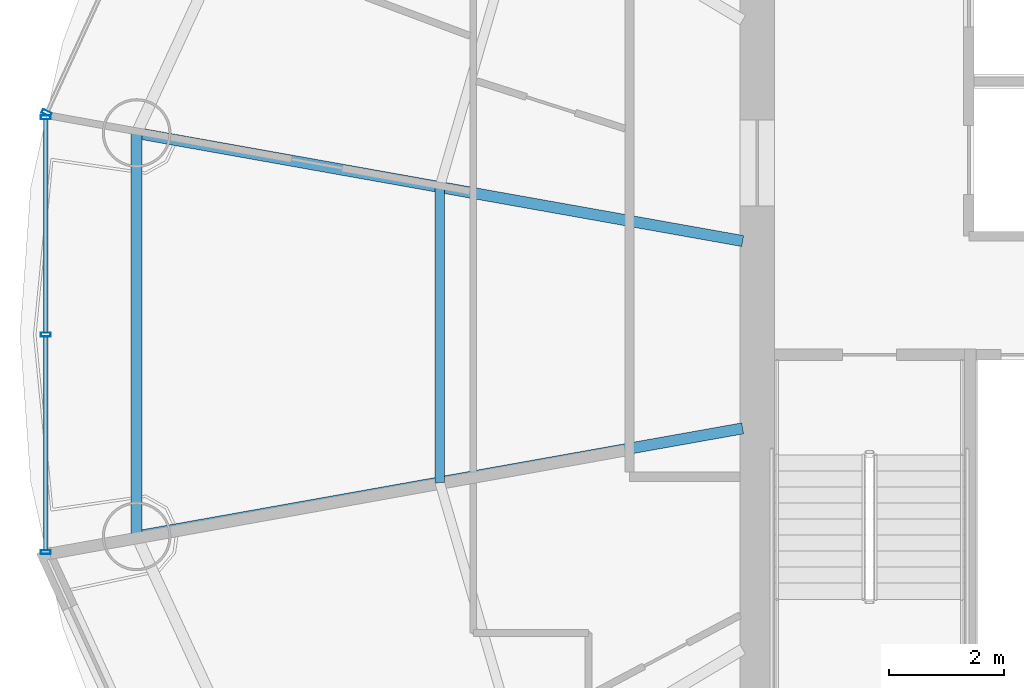
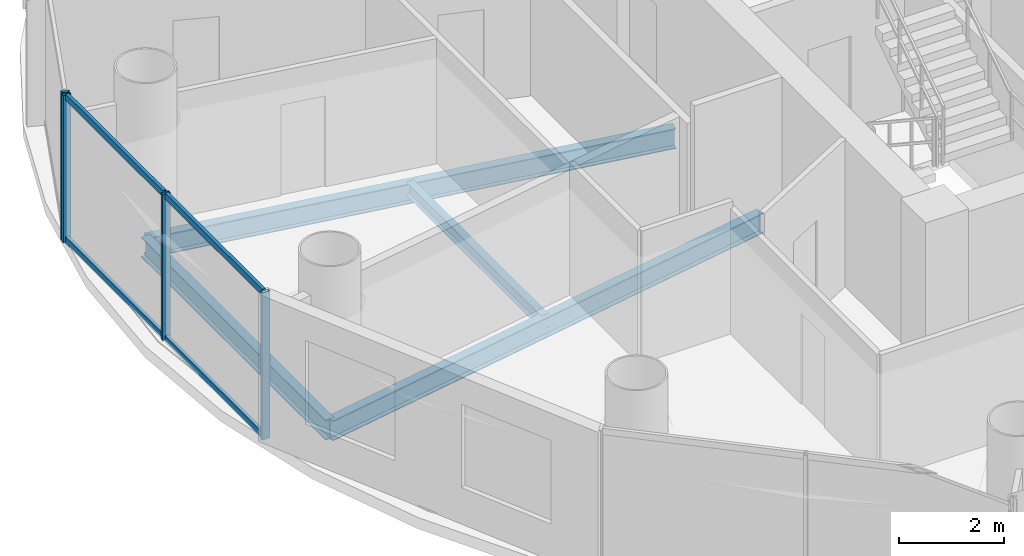
# One storey, part 7 of 27: 8 members, 4 beams, 2 elements without a shape of their own.
"""IFC4 building model written with IfcOpenShell, lengths in metres."""

from ifc_helpers import new_model, si_unit, direction, frame, origin, origin_2d, place, context, subcontext, project, spatial, hollow_rectangle, i_section, extrude, source, transform, mapped, material, material_profile, profile_set, type_object, element, aggregate, save


model = new_model("IFC4")

# Units and contexts
model_context = context("Model", 3, precision=1e-05, world=origin(), true_north=direction((-0.2419218956, 0.970295726276)))
body_context = subcontext(model_context, "Body", "Model", "MODEL_VIEW")
ifc_project = project(units=[si_unit("LENGTHUNIT", "METRE"), si_unit("AREAUNIT", "SQUARE_METRE"), si_unit("VOLUMEUNIT", "CUBIC_METRE"), si_unit("PLANEANGLEUNIT", "RADIAN"), si_unit("MASSUNIT", "GRAM", prefix="KILO")], contexts=[model_context])

# Site, building, storey
site_placement = place(None, origin())
site = spatial("IfcSite", under=ifc_project, at=site_placement, CompositionType="ELEMENT")
building_placement = place(site_placement, origin())
building = spatial("IfcBuilding", under=site, at=building_placement, Name="Cobrevalo Terracotta Tower", CompositionType="ELEMENT")
storey_placement = place(building_placement, frame((0.0, 0.0, 194.89990234375)))
storey = spatial("IfcBuildingStorey", under=building, at=storey_placement, Name="L51", CompositionType="ELEMENT", Elevation=194.89990234375)

# Beams
ifc_material_1 = material(Name="Steel S355", Category="steel")
ifc_material_profile_1 = material_profile(ifc_material_1, i_section(OverallWidth=0.194091796875, OverallDepth=0.468994140625, WebThickness=0.011474609375, FlangeThickness=0.0205078125, at=origin_2d()), Name="W 460x106")
ifc_profile_set_1 = profile_set([ifc_material_profile_1], Name="Steel S355")
beam_type_1 = type_object("IfcBeamType", Name="Structural Beam W 460x106 (Steel S355)", PredefinedType="BEAM", material=ifc_profile_set_1)
for number, where, z_axis, x_axis, name in (
    (1, (18.237060546875, 30.3212890625, -0.49951171875), (0.98449712063, -0.175400739656, 0.0), (0.175400739656, 0.98449712063, 0.0), "L51 radial floor girder 08"),
    (2, (18.237060546875, 23.278564453125, -0.49951171875), (0.984493198547, 0.175422752274, 0.0), (-0.175422752274, 0.984493198547, 0.0), "L51 radial floor girder 09"),
):
    element("IfcBeam", number, at=place(storey_placement, frame(where, z_axis=z_axis, x_axis=x_axis)), inside=storey, type_object=beam_type_1, Name=name, PredefinedType="BEAM", context=body_context, shape_type="SweptSolid", body=[
        extrude(i_section(OverallWidth=0.194091796875, OverallDepth=0.468994140625, WebThickness=0.011474609375, FlangeThickness=0.0205078125, at=origin_2d()), origin(), (0.0, 0.0, 1.0), 10.749755859375),
    ])
ifc_material_profile_2 = material_profile(ifc_material_1, i_section(OverallWidth=0.1650390625, OverallDepth=0.31005859375, WebThickness=0.005859375, FlangeThickness=0.009765625, at=origin_2d()), Name="W 310x38.7")
ifc_profile_set_2 = profile_set([ifc_material_profile_2], Name="Steel S355")
beam_type_2 = type_object("IfcBeamType", Name="Structural Joist W 310x38.7 (Steel S355)", PredefinedType="JOIST", material=ifc_profile_set_2)
beam_1_placement = place(storey_placement, frame((23.528564453125, 29.378662109375, -0.419921875), z_axis=(0.0, -1.0, 0.0), x_axis=(1.0, 0.0, 0.0)))
element("IfcBeam", 3, at=beam_1_placement, inside=storey, type_object=beam_type_2, Name="L51 circumferential secondary floor joist 08", PredefinedType="JOIST", context=body_context, shape_type="SweptSolid", body=[
    extrude(i_section(OverallWidth=0.1650390625, OverallDepth=0.31005859375, WebThickness=0.005859375, FlangeThickness=0.009765625, at=origin_2d()), origin(), (0.0, 0.0, 1.0), 5.1572265625),
])
ifc_material_profile_3 = material_profile(ifc_material_1, i_section(OverallWidth=0.194091796875, OverallDepth=0.468994140625, WebThickness=0.011474609375, FlangeThickness=0.0205078125, at=origin_2d()), Name="W 460x106")
ifc_profile_set_3 = profile_set([ifc_material_profile_3], Name="Steel S355")
beam_type_3 = type_object("IfcBeamType", Name="Structural Spandrel W 460x106 (Steel S355)", PredefinedType="SPANDREL", material=ifc_profile_set_3)
beam_2_placement = place(storey_placement, frame((18.237060546875, 30.3212890625, -0.49951171875), z_axis=(0.0, -1.0, 0.0), x_axis=(1.0, 0.0, 0.0)))
element("IfcBeam", 4, at=beam_2_placement, inside=storey, type_object=beam_type_3, Name="L51 perimeter ring spandrel 08", PredefinedType="SPANDREL", context=body_context, shape_type="SweptSolid", body=[
    extrude(i_section(OverallWidth=0.194091796875, OverallDepth=0.468994140625, WebThickness=0.011474609375, FlangeThickness=0.0205078125, at=origin_2d()), origin(), (0.0, 0.0, 1.0), 7.042724609375),
])

# Curtain wall, members
ifc_material_2 = material(Name="Anodized aluminium", Category="aluminium")
curtain_wall_type = type_object("IfcCurtainWallType", Name="Mid-tower high-wind unitised curtain wall CW-U2", PredefinedType="NOTDEFINED", material=ifc_material_2)
curtain_wall_1_placement = place(storey_placement, origin())
curtain_wall_1 = element("IfcCurtainWall", 5, at=curtain_wall_1_placement, inside=storey, type_object=curtain_wall_type, Name="L51 curtain wall CW-L51-S08", PredefinedType="NOTDEFINED")
ifc_material_profile_4 = material_profile(ifc_material_2, hollow_rectangle(XDim=0.074951171875, YDim=0.14990234375, WallThickness=0.00439453125, at=origin_2d()), Name="CWT 75x150")
ifc_profile_set_4 = profile_set([ifc_material_profile_4], Name="Anodized aluminium")
member_type_1 = type_object("IfcMemberType", Name="Tower unitised aluminium transom 75x150", PredefinedType="USERDEFINED", material=ifc_profile_set_4)
shared_shape_1 = source(origin(), body_context, "Body", "SweptSolid", [
    extrude(hollow_rectangle(XDim=0.074951171875, YDim=0.14990234375, WallThickness=0.00439453125, at=origin_2d()), origin(), (0.0, 0.0, 1.0), 3.71728515625),
])
member_1_placement = place(storey_placement, frame((16.648193359375, 30.557373046875, 0.050048828125), z_axis=(0.0, -1.0, 0.0), x_axis=(1.0, 0.0, 0.0)))
member_1 = element("IfcMember", 6, at=member_1_placement, type_object=member_type_1, Name="CW-L51-S08 transom B01-T1", ObjectType="TRANSOM", PredefinedType="USERDEFINED", context=body_context, shape_type="MappedRepresentation", body=[
    mapped(shared_shape_1, transform((0.0, 0.0, 0.0), scale=1.0)),
])
member_2_placement = place(storey_placement, frame((16.648193359375, 30.557373046875, 3.385009765625), z_axis=(0.0, -1.0, 0.0), x_axis=(1.0, 0.0, 0.0)))
member_2 = element("IfcMember", 7, at=member_2_placement, type_object=member_type_1, Name="CW-L51-S08 transom B01-T2", ObjectType="TRANSOM", PredefinedType="USERDEFINED", context=body_context, shape_type="MappedRepresentation", body=[
    mapped(shared_shape_1, transform((0.0, 0.0, 0.0), scale=1.0)),
])
shared_shape_2 = source(origin(), body_context, "Body", "SweptSolid", [
    extrude(hollow_rectangle(XDim=0.074951171875, YDim=0.14990234375, WallThickness=0.00439453125, at=origin_2d()), origin(), (0.0, 0.0, 1.0), 3.717529296875),
])
member_3_placement = place(storey_placement, frame((16.648193359375, 26.760009765625, 0.050048828125), z_axis=(0.0, -1.0, 0.0), x_axis=(1.0, 0.0, 0.0)))
member_3 = element("IfcMember", 8, at=member_3_placement, type_object=member_type_1, Name="CW-L51-S08 transom B02-T1", ObjectType="TRANSOM", PredefinedType="USERDEFINED", context=body_context, shape_type="MappedRepresentation", body=[
    mapped(shared_shape_2, transform((0.0, 0.0, 0.0), scale=1.0)),
])
member_4_placement = place(storey_placement, frame((16.648193359375, 26.760009765625, 3.385009765625), z_axis=(0.0, -1.0, 0.0), x_axis=(1.0, 0.0, 0.0)))
member_4 = element("IfcMember", 9, at=member_4_placement, type_object=member_type_1, Name="CW-L51-S08 transom B02-T2", ObjectType="TRANSOM", PredefinedType="USERDEFINED", context=body_context, shape_type="MappedRepresentation", body=[
    mapped(shared_shape_2, transform((0.0, 0.0, 0.0), scale=1.0)),
])

# Curtain wall, member
curtain_wall_2_placement = place(storey_placement, origin())
curtain_wall_2 = element("IfcCurtainWall", 10, at=curtain_wall_2_placement, inside=storey, type_object=curtain_wall_type, Name="L51 curtain wall CW-L51-S07", PredefinedType="NOTDEFINED")
ifc_material_profile_5 = material_profile(ifc_material_2, hollow_rectangle(XDim=0.070068359375, YDim=0.169921875, WallThickness=0.00439453125, at=origin_2d()), Name="CWM 70x170")
ifc_profile_set_5 = profile_set([ifc_material_profile_5], Name="Anodized aluminium")
member_type_2 = type_object("IfcMemberType", Name="Upper tower unitised mullion 70x170", PredefinedType="MULLION", material=ifc_profile_set_5)
shared_shape_3 = source(origin(), body_context, "Body", "SweptSolid", [
    extrude(hollow_rectangle(XDim=0.070068359375, YDim=0.169921875, WallThickness=0.00439453125, at=origin_2d()), origin(), (0.0, 0.0, 1.0), 3.43505859375),
])
member_5_placement = place(storey_placement, frame((16.6650390625, 30.673828125, 0.0), z_axis=(0.0, 0.0, 1.0), x_axis=(-0.41672507912, -0.909032567311, 0.0)))
member_5 = element("IfcMember", 11, at=member_5_placement, type_object=member_type_2, Name="CW-L51-S07 vertical mullion 03", PredefinedType="MULLION", context=body_context, shape_type="MappedRepresentation", body=[
    mapped(shared_shape_3, transform((0.0, 0.0, 0.0), scale=1.0)),
])
aggregate(curtain_wall_2, [member_5])

# Member
member_6_placement = place(storey_placement, frame((16.648193359375, 30.597412109375, 0.0), z_axis=(0.0, 0.0, 1.0), x_axis=(0.0, -1.0, 0.0)))
member_6 = element("IfcMember", 12, at=member_6_placement, type_object=member_type_2, Name="CW-L51-S08 vertical mullion 01", PredefinedType="MULLION", context=body_context, shape_type="MappedRepresentation", body=[
    mapped(shared_shape_3, transform((0.0, 0.0, 0.0), scale=1.0)),
])

member_7_placement = place(storey_placement, frame((16.648193359375, 26.800048828125, 0.0), z_axis=(0.0, 0.0, 1.0), x_axis=(0.0, -1.0, 0.0)))
member_7 = element("IfcMember", 13, at=member_7_placement, type_object=member_type_2, Name="CW-L51-S08 vertical mullion 02", PredefinedType="MULLION", context=body_context, shape_type="MappedRepresentation", body=[
    mapped(shared_shape_3, transform((0.0, 0.0, 0.0), scale=1.0)),
])

member_8_placement = place(storey_placement, frame((16.648193359375, 23.002685546875, 0.0), z_axis=(0.0, 0.0, 1.0), x_axis=(0.0, -1.0, 0.0)))
member_8 = element("IfcMember", 14, at=member_8_placement, type_object=member_type_2, Name="CW-L51-S08 vertical mullion 03", PredefinedType="MULLION", context=body_context, shape_type="MappedRepresentation", body=[
    mapped(shared_shape_3, transform((0.0, 0.0, 0.0), scale=1.0)),
])

aggregate(curtain_wall_1, [member_6, member_7, member_8, member_1, member_2, member_3, member_4])

save(model, "model.ifc")
